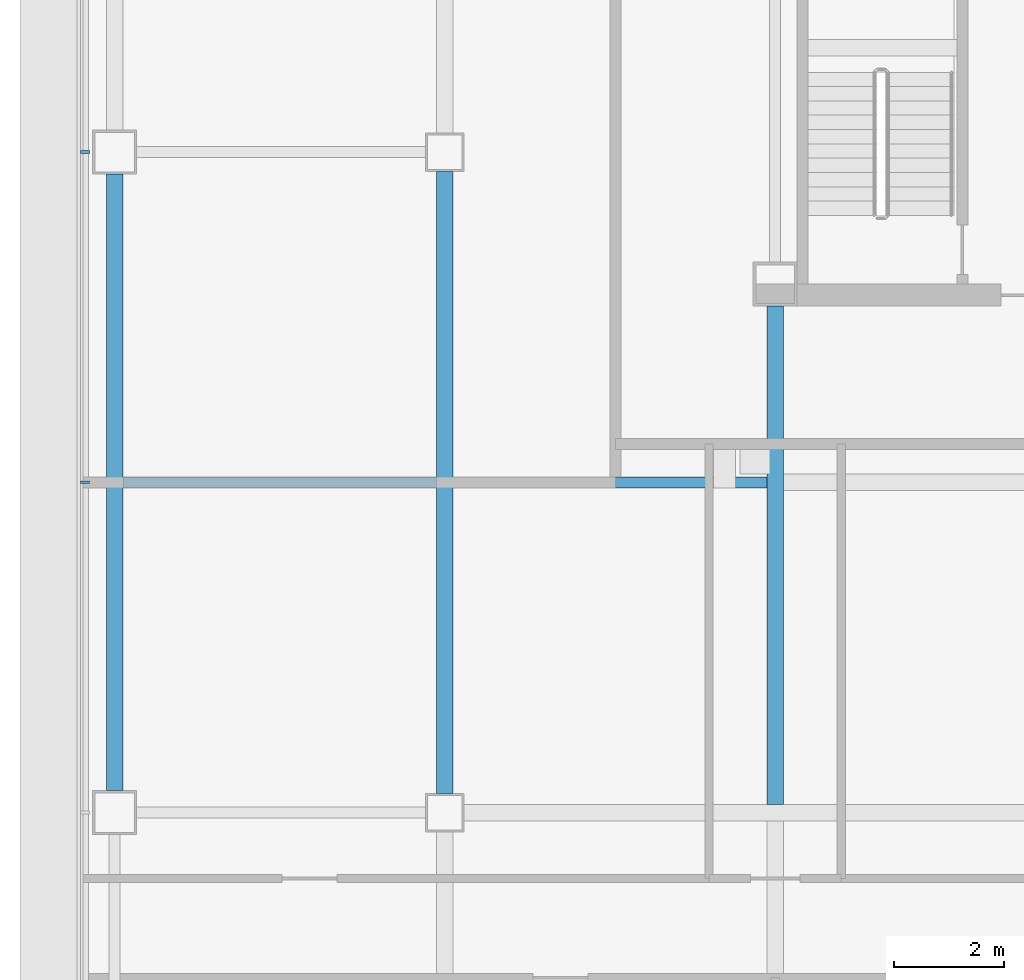
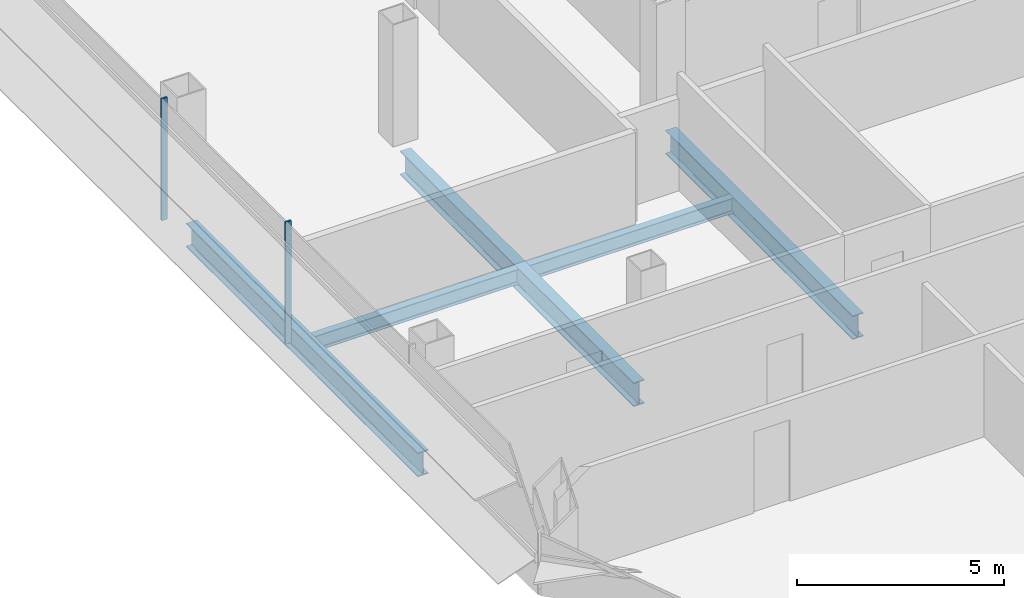
# One storey, part 4 of 25: 5 beams, 2 members, 1 element without a shape of its own.
"""IFC4 building model written with IfcOpenShell, lengths in metres."""

from ifc_helpers import new_model, si_unit, direction, frame, origin, origin_2d, place, context, subcontext, project, spatial, rectangle, i_section, extrude, material, material_profile, profile_set, type_object, element, aggregate, save


model = new_model("IFC4")

# Units and contexts
model_context = context("Model", 3, precision=1e-05, world=origin(), true_north=direction((0.0, 1.0)))
body_context = subcontext(model_context, "Body", "Model", "MODEL_VIEW")
ifc_project = project(units=[si_unit("LENGTHUNIT", "METRE"), si_unit("AREAUNIT", "SQUARE_METRE"), si_unit("VOLUMEUNIT", "CUBIC_METRE"), si_unit("PLANEANGLEUNIT", "RADIAN"), si_unit("MASSUNIT", "GRAM", prefix="KILO")], contexts=[model_context])

# Site, building, storey
site_placement = place(None, origin())
site = spatial("IfcSite", under=ifc_project, at=site_placement, CompositionType="ELEMENT")
building_placement = place(site_placement, origin())
building = spatial("IfcBuilding", under=site, at=building_placement, Name="Sorahane Residences", CompositionType="ELEMENT")
storey_placement = place(building_placement, frame((0.0, 0.0, 130.39990234375)))
storey = spatial("IfcBuildingStorey", under=building, at=storey_placement, Name="L29", CompositionType="ELEMENT", Elevation=130.39990234375)

# Curtain wall, members
ifc_material_1 = material(Name="Dark low-e glass and black anodised aluminium", Category="aluminium")
curtain_wall_type = type_object("IfcCurtainWallType", Name="Curtain wall CW-1 Typical unitised wall", PredefinedType="NOTDEFINED", material=ifc_material_1)
curtain_wall_placement = place(storey_placement, origin())
curtain_wall = element("IfcCurtainWall", 1, at=curtain_wall_placement, inside=storey, type_object=curtain_wall_type, Name="CW-1 curtain wall L29 W1", PredefinedType="NOTDEFINED")
ifc_material_2 = material(Name="Black anodised aluminium", Category="aluminium")
ifc_material_profile_1 = material_profile(ifc_material_2, rectangle(XDim=0.159912109375, YDim=0.050048828125, at=origin_2d()), Name="Curtain wall mullion CW-1 black anodised aluminium 50x160")
ifc_profile_set_1 = profile_set([ifc_material_profile_1], Name="Black anodised aluminium")
member_type = type_object("IfcMemberType", Name="Curtain wall mullion CW-1 black anodised aluminium 50x160", PredefinedType="MULLION", material=ifc_profile_set_1)
member_1_placement = place(storey_placement, frame((-6.5400390625, 24.0, -0.179931640625), z_axis=(0.0, 0.0, 1.0), x_axis=(-1.0, 0.0, 0.0)))
member_1 = element("IfcMember", 2, at=member_1_placement, type_object=member_type, Name="CW-1 mullion L29 W1.4", PredefinedType="MULLION", context=body_context, shape_type="SweptSolid", body=[
    extrude(rectangle(XDim=0.159912109375, YDim=0.050048828125, at=origin_2d()), origin(), (0.0, 0.0, 1.0), 3.60009765625),
])
member_2_placement = place(storey_placement, frame((-6.5400390625, 18.0, -0.179931640625), z_axis=(0.0, 0.0, 1.0), x_axis=(-1.0, 0.0, 0.0)))
member_2 = element("IfcMember", 3, at=member_2_placement, type_object=member_type, Name="CW-1 mullion L29 W1.5", PredefinedType="MULLION", context=body_context, shape_type="SweptSolid", body=[
    extrude(rectangle(XDim=0.159912109375, YDim=0.050048828125, at=origin_2d()), origin(), (0.0, 0.0, 1.0), 3.60009765625),
])
aggregate(curtain_wall, [member_1, member_2])

# Beams
ifc_material_3 = material(Name="Steel Q355B", Category="steel")
ifc_material_profile_2 = material_profile(ifc_material_3, i_section(OverallWidth=0.199951171875, OverallDepth=0.449951171875, WebThickness=0.009033203125, FlangeThickness=0.013916015625, FilletRadius=0.02001953125, at=origin_2d()), Name="HN 450x200x9x14")
ifc_profile_set_2 = profile_set([ifc_material_profile_2], Name="Steel Q355B")
beam_type_1 = type_object("IfcBeamType", Name="Steel floor beam HN 450x200x9x14 Q355B", PredefinedType="BEAM", material=ifc_profile_set_2)
for number, where, z_axis, x_axis, name in (
    (4, (-5.85009765625, 18.0, -0.40478515625), (1.0, 0.0, 0.0), (0.0, 1.0, 0.0), "Beam L29 078"),
    (5, (0.14990234375, 18.0, -0.40478515625), (1.0, 0.0, 0.0), (0.0, 1.0, 0.0), "Beam L29 079"),
):
    element("IfcBeam", number, at=place(storey_placement, frame(where, z_axis=z_axis, x_axis=x_axis)), inside=storey, type_object=beam_type_1, Name=name, PredefinedType="BEAM", context=body_context, shape_type="SweptSolid", body=[
        extrude(i_section(OverallWidth=0.199951171875, OverallDepth=0.449951171875, WebThickness=0.009033203125, FlangeThickness=0.013916015625, FilletRadius=0.02001953125, at=origin_2d()), origin(), (0.0, 0.0, 1.0), 5.7001953125),
    ])
ifc_material_4 = material(Name="Steel Q355B", Category="steel")
ifc_material_profile_3 = material_profile(ifc_material_4, i_section(OverallWidth=0.300048828125, OverallDepth=0.699951171875, WebThickness=0.012939453125, FlangeThickness=0.02392578125, FilletRadius=0.028076171875, at=origin_2d()), Name="HN 700x300x13x24")
ifc_profile_set_3 = profile_set([ifc_material_profile_3], Name="Steel Q355B")
beam_type_2 = type_object("IfcBeamType", Name="Steel floor beam HN 700x300x13x24 Q355B", PredefinedType="BEAM", material=ifc_profile_set_3)
beam_1_placement = place(storey_placement, frame((-6.0, 12.39990234375, -0.52978515625), z_axis=(0.0, 1.0, 0.0), x_axis=(-1.0, 0.0, 0.0)))
element("IfcBeam", 6, at=beam_1_placement, inside=storey, type_object=beam_type_2, Name="Beam L29 021", PredefinedType="BEAM", context=body_context, shape_type="SweptSolid", body=[
    extrude(i_section(OverallWidth=0.300048828125, OverallDepth=0.699951171875, WebThickness=0.012939453125, FlangeThickness=0.02392578125, FilletRadius=0.028076171875, at=origin_2d()), origin(), (0.0, 0.0, 1.0), 11.2001953125),
])
beam_2_placement = place(storey_placement, frame((0.0, 12.35009765625, -0.52978515625), z_axis=(0.0, 1.0, 0.0), x_axis=(-1.0, 0.0, 0.0)))
element("IfcBeam", 7, at=beam_2_placement, inside=storey, type_object=beam_type_2, Name="Beam L29 025", PredefinedType="BEAM", context=body_context, shape_type="SweptSolid", body=[
    extrude(i_section(OverallWidth=0.300048828125, OverallDepth=0.699951171875, WebThickness=0.012939453125, FlangeThickness=0.02392578125, FilletRadius=0.028076171875, at=origin_2d()), origin(), (0.0, 0.0, 1.0), 11.2998046875),
])
beam_3_placement = place(storey_placement, frame((6.0, 12.14990234375, -0.52978515625), z_axis=(0.0, 1.0, 0.0), x_axis=(-1.0, 0.0, 0.0)))
element("IfcBeam", 8, at=beam_3_placement, inside=storey, type_object=beam_type_2, Name="Beam L29 029", PredefinedType="BEAM", context=body_context, shape_type="SweptSolid", body=[
    extrude(i_section(OverallWidth=0.300048828125, OverallDepth=0.699951171875, WebThickness=0.012939453125, FlangeThickness=0.02392578125, FilletRadius=0.028076171875, at=origin_2d()), origin(), (0.0, 0.0, 1.0), 9.050048828125),
])

save(model, "model.ifc")
